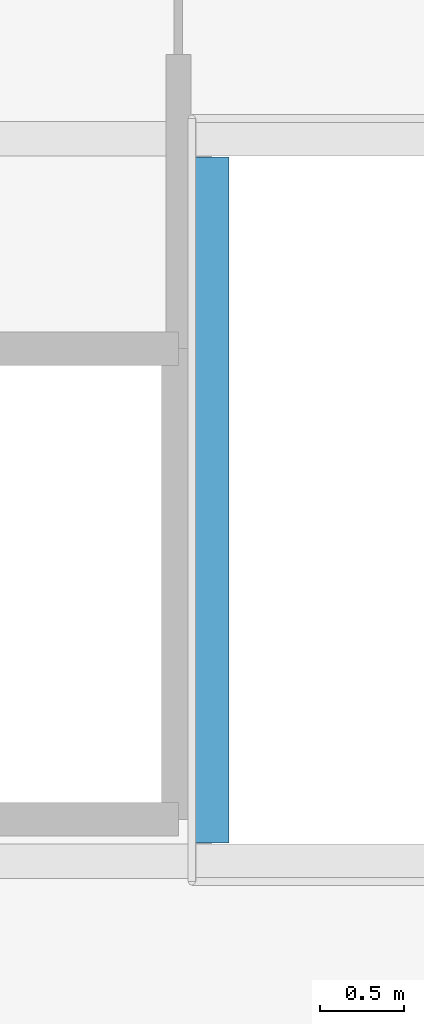
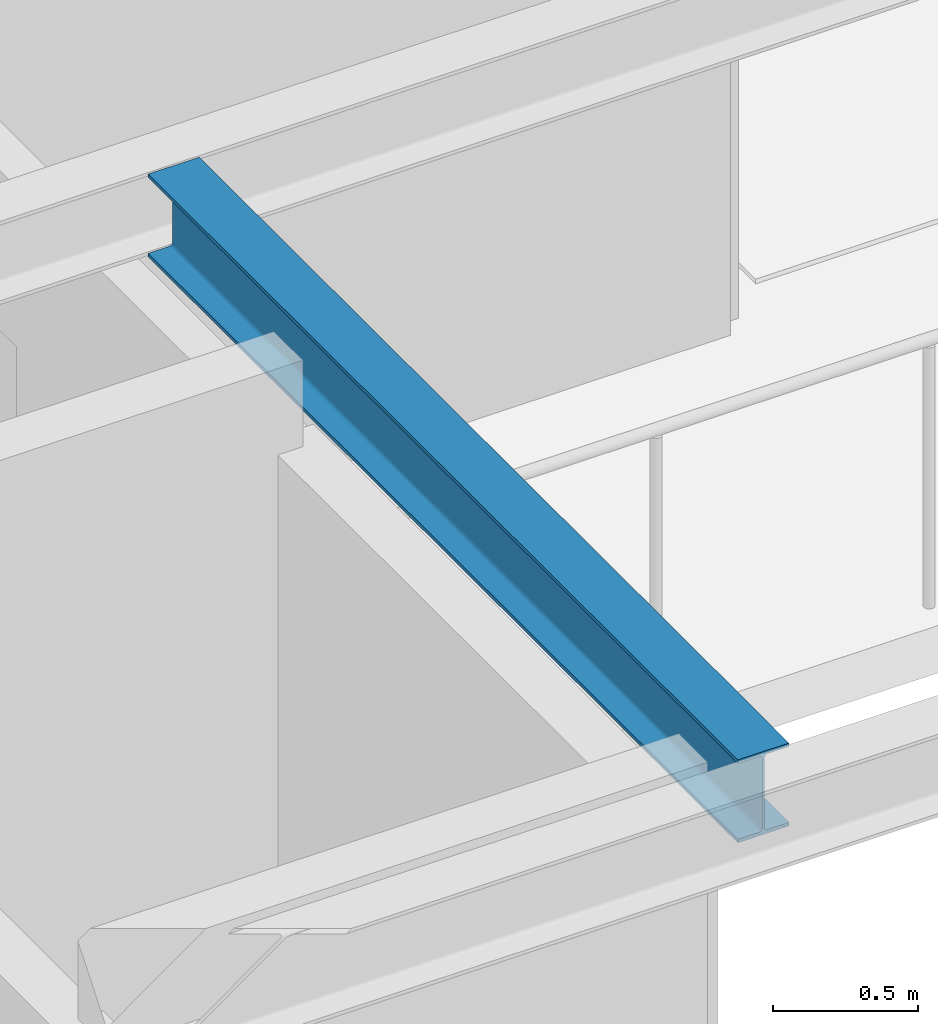
# One storey, part 10 of 31: 1 beam.
"""IFC4 building model written with IfcOpenShell, lengths in metres."""

from ifc_helpers import new_model, si_unit, direction, frame, origin, origin_2d, place, context, subcontext, project, spatial, i_section, extrude, material, material_profile, profile_set, type_object, element, save


model = new_model("IFC4")

# Units and contexts
model_context = context("Model", 3, precision=1e-05, world=origin(), true_north=direction((0.0, 1.0)))
body_context = subcontext(model_context, "Body", "Model", "MODEL_VIEW")
ifc_project = project(units=[si_unit("LENGTHUNIT", "METRE"), si_unit("AREAUNIT", "SQUARE_METRE"), si_unit("VOLUMEUNIT", "CUBIC_METRE"), si_unit("PLANEANGLEUNIT", "RADIAN"), si_unit("MASSUNIT", "GRAM", prefix="KILO")], contexts=[model_context])

# Site, building, storey
site_placement = place(None, origin())
site = spatial("IfcSite", under=ifc_project, at=site_placement, CompositionType="ELEMENT")
building_placement = place(site_placement, origin())
building = spatial("IfcBuilding", under=site, at=building_placement, Name="Kolvaren Belvedere", CompositionType="ELEMENT")
storey_placement = place(building_placement, frame((0.0, 0.0, 134.89990234375)))
storey = spatial("IfcBuildingStorey", under=building, at=storey_placement, Name="L39", CompositionType="ELEMENT", Elevation=134.89990234375)

# Beam
ifc_material = material(Name="Structural steel ASTM A992 Grade 50", Category="steel")
ifc_material_profile = material_profile(ifc_material, i_section(OverallWidth=0.2041015625, OverallDepth=0.35009765625, WebThickness=0.008544921875, FlangeThickness=0.01513671875, FilletRadius=0.013916015625, at=origin_2d()), Name="W14X48")
ifc_profile_set = profile_set([ifc_material_profile], Name="Structural steel ASTM A992 Grade 50")
beam_type = type_object("IfcBeamType", Name="BM-ATRIUM-W14X48", PredefinedType="BEAM", material=ifc_profile_set)
beam_placement = place(storey_placement, frame((-3.14990234375, -1.840087890625, 2.925048828125), z_axis=(0.0, 1.0, 0.0), x_axis=(-1.0, 0.0, 0.0)))
element("IfcBeam", 1, at=beam_placement, inside=storey, type_object=beam_type, Name="L39 Central Atrium West Edge Beam AW", PredefinedType="BEAM", context=body_context, shape_type="SweptSolid", body=[
    extrude(i_section(OverallWidth=0.2041015625, OverallDepth=0.35009765625, WebThickness=0.008544921875, FlangeThickness=0.01513671875, FilletRadius=0.013916015625, at=origin_2d()), origin(), (0.0, 0.0, 1.0), 4.080078125),
])

save(model, "model.ifc")
